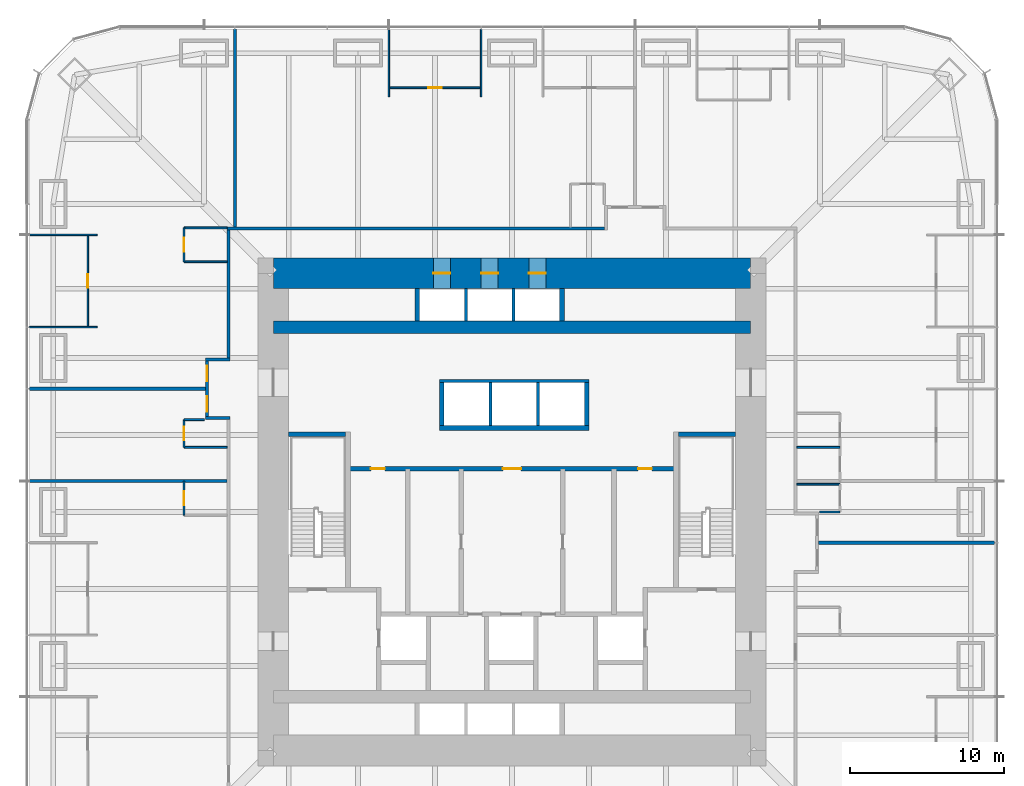
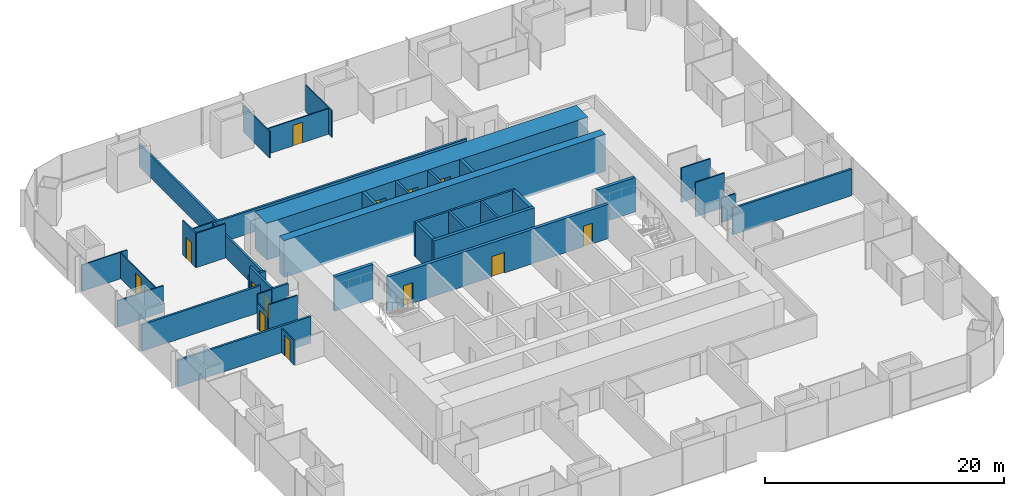
# One storey, part 14 of 16: 40 walls, 13 doors, 13 openings.
"""IFC4 building model written with IfcOpenShell, lengths in metres."""

from ifc_helpers import new_model, si_unit, direction, frame, frame_2d, origin, place, context, subcontext, project, spatial, rectangle, extrude, material, layer, layer_set, type_object, element, fill, save


model = new_model("IFC4")

# Units and contexts
model_context = context("Model", 3, precision=1e-05, world=origin(), true_north=direction((0.0, 1.0)))
body_context = subcontext(model_context, "Body", "Model", "MODEL_VIEW")
ifc_project = project(units=[si_unit("LENGTHUNIT", "METRE"), si_unit("AREAUNIT", "SQUARE_METRE"), si_unit("VOLUMEUNIT", "CUBIC_METRE"), si_unit("PLANEANGLEUNIT", "RADIAN"), si_unit("MASSUNIT", "GRAM", prefix="KILO")], contexts=[model_context])

# Site, building, storey
site_placement = place(None, origin())
site = spatial("IfcSite", under=ifc_project, at=site_placement, CompositionType="ELEMENT")
building_placement = place(site_placement, origin())
building = spatial("IfcBuilding", under=site, at=building_placement, Name="Khuree Lantern Residences", CompositionType="ELEMENT")
storey_placement = place(building_placement, frame((0.0, 0.0, 62.25)))
storey = spatial("IfcBuildingStorey", under=building, at=storey_placement, Name="L15", CompositionType="ELEMENT", Elevation=62.25)

# Walls
ifc_material_1 = material(Name="Moisture-resistant gypsum board on steel studs", Category="steel")
ifc_layer_1 = layer(ifc_material_1, 0.125)
ifc_layer_set_1 = layer_set([ifc_layer_1], Name="BATHROOM WALL BTW125")
wall_type_1 = type_object("IfcWallType", Name="BATHROOM WALL BTW125", PredefinedType="PARTITIONING", material=ifc_layer_set_1)
wall_1_placement = place(storey_placement, frame((19.969970703125, 0.0, 0.0), z_axis=(0.0, 0.0, 1.0), x_axis=(1.0, 0.0, 0.0)))
element("IfcWall", 1, at=wall_1_placement, inside=storey, type_object=wall_type_1, Name="L15 BATHROOM WALL 02", PredefinedType="PARTITIONING", context=body_context, shape_type="SweptSolid", body=[
    extrude(rectangle(XDim=1.330078125, YDim=0.125, at=frame_2d((0.6650390625, 0.0))), origin(), (0.0, 0.0, 1.0), 2.491943359375),
])
for number, where, z_axis, x_axis, name in (
    (2, (18.5, 1.800048828125, 0.0), (0.0, 0.0, 1.0), (1.0, 0.0, 0.0), "L15 BATHROOM WALL 02"),
    (3, (18.5, 4.199951171875, 0.0), (0.0, 0.0, 1.0), (1.0, 0.0, 0.0), "L15 BATHROOM WALL 03"),
):
    element("IfcWall", number, at=place(storey_placement, frame(where, z_axis=z_axis, x_axis=x_axis)), inside=storey, type_object=wall_type_1, Name=name, PredefinedType="PARTITIONING", context=body_context, shape_type="SweptSolid", body=[
        extrude(rectangle(XDim=2.800048828125, YDim=0.125, at=frame_2d((1.39990234375, 0.0))), origin(), (0.0, 0.0, 1.0), 3.5),
    ])

# Wall, opening, door
wall_2_placement = place(storey_placement, frame((-21.300048828125, 18.449951171875, 0.0), z_axis=(0.0, 0.0, 1.0), x_axis=(0.0, -1.0, 0.0)))
wall_2 = element("IfcWall", 4, at=wall_2_placement, inside=storey, type_object=wall_type_1, Name="L15 BATHROOM WALL 05", PredefinedType="PARTITIONING", context=body_context, shape_type="SweptSolid", body=[
    extrude(rectangle(XDim=2.199951171875, YDim=0.125, at=frame_2d((1.10009765625, 0.0))), origin(), (0.0, 0.0, 1.0), 3.5),
])
opening_1_placement = place(wall_2_placement, frame((0.64990234375, 0.0, 0.0)))
opening_1 = element("IfcOpeningElement", 5, at=opening_1_placement, cuts=wall_2, Name="Opening 15-036", PredefinedType="OPENING", context=body_context, shape_type="SweptSolid", body=[
    extrude(rectangle(XDim=0.89990234375, YDim=2.10009765625, at=frame_2d((0.449951171875, 1.050048828125))), frame((0.0, 0.072509765625, 0.0), z_axis=(0.0, -1.0, 0.0), x_axis=(1.0, 0.0, 0.0)), (0.0, 0.0, 1.0), 0.14501953125),
])
ifc_material_2 = material(Name="Timber door leaf in hardwood frame", Category="wood")
door_type_1 = type_object("IfcDoorType", Name="BATHROOM DOOR 900X2100", OperationType="SINGLE_SWING_LEFT", PredefinedType="DOOR", material=ifc_material_2)
door_1_placement = place(opening_1_placement, origin())
door_1 = element("IfcDoor", 6, at=door_1_placement, inside=storey, type_object=door_type_1, Name="Bathroom door 15-036", OperationType="SINGLE_SWING_LEFT", OverallHeight=2.10009765625, OverallWidth=0.89990234375, PredefinedType="DOOR", context=body_context, shape_type="SweptSolid", body=[
    extrude(rectangle(XDim=0.89990234375, YDim=2.10009765625, at=frame_2d((0.449951171875, 1.050048828125))), frame((0.0, 0.02490234375, 0.0), z_axis=(0.0, -1.0, 0.0), x_axis=(1.0, 0.0, 0.0)), (0.0, 0.0, 1.0), 0.050048828125),
])
fill(opening_1, door_1)

# Walls
wall_3_placement = place(storey_placement, frame((-18.5, 18.449951171875, 0.0), z_axis=(0.0, 0.0, 1.0), x_axis=(-1.0, 0.0, 0.0)))
element("IfcWall", 7, at=wall_3_placement, inside=storey, type_object=wall_type_1, Name="L15 BATHROOM WALL 05", PredefinedType="PARTITIONING", context=body_context, shape_type="SweptSolid", body=[
    extrude(rectangle(XDim=2.800048828125, YDim=0.125, at=frame_2d((1.39990234375, 0.0))), origin(), (0.0, 0.0, 1.0), 2.300048828125),
])
wall_4_placement = place(storey_placement, frame((-18.5, 16.25, 0.0), z_axis=(0.0, 0.0, 1.0), x_axis=(-1.0, 0.0, 0.0)))
element("IfcWall", 8, at=wall_4_placement, inside=storey, type_object=wall_type_1, Name="L15 BATHROOM WALL 05", PredefinedType="PARTITIONING", context=body_context, shape_type="SweptSolid", body=[
    extrude(rectangle(XDim=2.800048828125, YDim=0.125, at=frame_2d((1.39990234375, 0.0))), origin(), (0.0, 0.0, 1.0), 3.5),
])

# Wall, opening, door
wall_5_placement = place(storey_placement, frame((-21.300048828125, 6.0, 0.0), z_axis=(0.0, 0.0, 1.0), x_axis=(0.0, -1.0, 0.0)))
wall_5 = element("IfcWall", 9, at=wall_5_placement, inside=storey, type_object=wall_type_1, Name="L15 BATHROOM WALL 06", PredefinedType="PARTITIONING", context=body_context, shape_type="SweptSolid", body=[
    extrude(rectangle(XDim=1.800048828125, YDim=0.125, at=frame_2d((0.89990234375, 0.0))), origin(), (0.0, 0.0, 1.0), 2.610107421875),
])
opening_2_placement = place(wall_5_placement, frame((0.449951171875, 0.0, 0.0)))
opening_2 = element("IfcOpeningElement", 10, at=opening_2_placement, cuts=wall_5, Name="Opening 15-038", PredefinedType="OPENING", context=body_context, shape_type="SweptSolid", body=[
    extrude(rectangle(XDim=0.89990234375, YDim=2.10009765625, at=frame_2d((0.449951171875, 1.050048828125))), frame((0.0, 0.072509765625, 0.0), z_axis=(0.0, -1.0, 0.0), x_axis=(1.0, 0.0, 0.0)), (0.0, 0.0, 1.0), 0.14501953125),
])
door_2_placement = place(opening_2_placement, origin())
door_2 = element("IfcDoor", 11, at=door_2_placement, inside=storey, type_object=door_type_1, Name="Bathroom door 15-038", OperationType="SINGLE_SWING_LEFT", OverallHeight=2.10009765625, OverallWidth=0.89990234375, PredefinedType="DOOR", context=body_context, shape_type="SweptSolid", body=[
    extrude(rectangle(XDim=0.89990234375, YDim=2.10009765625, at=frame_2d((0.449951171875, 1.050048828125))), frame((0.0, 0.02490234375, 0.0), z_axis=(0.0, -1.0, 0.0), x_axis=(1.0, 0.0, 0.0)), (0.0, 0.0, 1.0), 0.050048828125),
])
fill(opening_2, door_2)

# Walls
wall_6_placement = place(storey_placement, frame((-19.969970703125, 6.0, 0.0), z_axis=(0.0, 0.0, 1.0), x_axis=(-1.0, 0.0, 0.0)))
element("IfcWall", 12, at=wall_6_placement, inside=storey, type_object=wall_type_1, Name="L15 BATHROOM WALL 06", PredefinedType="PARTITIONING", context=body_context, shape_type="SweptSolid", body=[
    extrude(rectangle(XDim=1.330078125, YDim=0.125, at=frame_2d((0.6650390625, 0.0))), origin(), (0.0, 0.0, 1.0), 3.5),
])
wall_7_placement = place(storey_placement, frame((-18.5, 4.199951171875, 0.0), z_axis=(0.0, 0.0, 1.0), x_axis=(-1.0, 0.0, 0.0)))
element("IfcWall", 13, at=wall_7_placement, inside=storey, type_object=wall_type_1, Name="L15 BATHROOM WALL 06", PredefinedType="PARTITIONING", context=body_context, shape_type="SweptSolid", body=[
    extrude(rectangle(XDim=2.800048828125, YDim=0.125, at=frame_2d((1.39990234375, 0.0))), origin(), (0.0, 0.0, 1.0), 3.5),
])

# Wall, opening, door
wall_8_placement = place(storey_placement, frame((-21.300048828125, 2.0, 0.0), z_axis=(0.0, 0.0, 1.0), x_axis=(0.0, -1.0, 0.0)))
wall_8 = element("IfcWall", 14, at=wall_8_placement, inside=storey, type_object=wall_type_1, Name="L15 BATHROOM WALL 07", PredefinedType="PARTITIONING", context=body_context, shape_type="SweptSolid", body=[
    extrude(rectangle(XDim=2.199951171875, YDim=0.125, at=frame_2d((1.10009765625, 0.0))), origin(), (0.0, 0.0, 1.0), 2.491943359375),
])
opening_3_placement = place(wall_8_placement, frame((0.64990234375, 0.0, 0.0)))
opening_3 = element("IfcOpeningElement", 15, at=opening_3_placement, cuts=wall_8, Name="Opening 15-042", PredefinedType="OPENING", context=body_context, shape_type="SweptSolid", body=[
    extrude(rectangle(XDim=0.89990234375, YDim=2.10009765625, at=frame_2d((0.449951171875, 1.050048828125))), frame((0.0, 0.072509765625, 0.0), z_axis=(0.0, -1.0, 0.0), x_axis=(1.0, 0.0, 0.0)), (0.0, 0.0, 1.0), 0.14501953125),
])
door_3_placement = place(opening_3_placement, origin())
door_3 = element("IfcDoor", 16, at=door_3_placement, inside=storey, type_object=door_type_1, Name="Bathroom door 15-042", OperationType="SINGLE_SWING_LEFT", OverallHeight=2.10009765625, OverallWidth=0.89990234375, PredefinedType="DOOR", context=body_context, shape_type="SweptSolid", body=[
    extrude(rectangle(XDim=0.89990234375, YDim=2.10009765625, at=frame_2d((0.449951171875, 1.050048828125))), frame((0.0, 0.02490234375, 0.0), z_axis=(0.0, -1.0, 0.0), x_axis=(1.0, 0.0, 0.0)), (0.0, 0.0, 1.0), 0.050048828125),
])
fill(opening_3, door_3)

# Walls
ifc_material_3 = material(Name="Dense concrete blockwork", Category="masonry")
ifc_layer_2 = layer(ifc_material_3, 0.300048828125)
ifc_layer_set_2 = layer_set([ifc_layer_2], Name="CORE PARTITION WALL CPW300 EI 120")
wall_type_2 = type_object("IfcWallType", Name="CORE PARTITION WALL CPW300 EI 120", PredefinedType="PARTITIONING", material=ifc_layer_set_2)
wall_9_placement = place(storey_placement, frame((-4.699951171875, 5.449951171875, 0.0), z_axis=(0.0, 0.0, 1.0), x_axis=(1.0, 0.0, 0.0)))
element("IfcWall", 17, at=wall_9_placement, inside=storey, type_object=wall_type_2, Name="L15 CORE WALL PHS", PredefinedType="PARTITIONING", context=body_context, shape_type="SweptSolid", body=[
    extrude(rectangle(XDim=9.699951171875, YDim=0.300048828125, at=frame_2d((4.85009765625, 0.0))), origin(), (0.0, 0.0, 1.0), 3.5),
])
for number, where, z_axis, x_axis, name in (
    (18, (-4.550048828125, 5.60009765625, 0.0), (0.0, 0.0, 1.0), (0.0, 1.0, 0.0), "L15 CORE WALL PHW"),
    (19, (4.85009765625, 5.60009765625, 0.0), (0.0, 0.0, 1.0), (0.0, 1.0, 0.0), "L15 CORE WALL PHE"),
):
    element("IfcWall", number, at=place(storey_placement, frame(where, z_axis=z_axis, x_axis=x_axis)), inside=storey, type_object=wall_type_2, Name=name, PredefinedType="PARTITIONING", context=body_context, shape_type="SweptSolid", body=[
        extrude(rectangle(XDim=2.7998046875, YDim=0.300048828125, at=frame_2d((1.39990234375, 0.0))), origin(), (0.0, 0.0, 1.0), 3.5),
    ])
for number, where, z_axis, x_axis, name in (
    (20, (-6.14990234375, 12.39990234375, 0.0), (0.0, 0.0, 1.0), (0.0, 1.0, 0.0), "L15 CORE WALL PLW"),
    (21, (3.25, 12.39990234375, 0.0), (0.0, 0.0, 1.0), (0.0, 1.0, 0.0), "L15 CORE WALL PLE"),
):
    element("IfcWall", number, at=place(storey_placement, frame(where, z_axis=z_axis, x_axis=x_axis)), inside=storey, type_object=wall_type_2, Name=name, PredefinedType="PARTITIONING", context=body_context, shape_type="SweptSolid", body=[
        extrude(rectangle(XDim=2.10009765625, YDim=0.300048828125, at=frame_2d((1.050048828125, 0.0))), origin(), (0.0, 0.0, 1.0), 3.5),
    ])

# Wall, openings, doors
wall_10_placement = place(storey_placement, frame((-10.64990234375, 2.800048828125, 0.0), z_axis=(0.0, 0.0, 1.0), x_axis=(1.0, 0.0, 0.0)))
wall_10 = element("IfcWall", 22, at=wall_10_placement, inside=storey, type_object=wall_type_2, Name="L15 CORE WALL LLS", PredefinedType="PARTITIONING", context=body_context, shape_type="SweptSolid", body=[
    extrude(rectangle(XDim=21.2998046875, YDim=0.300048828125, at=frame_2d((10.64990234375, 0.0))), origin(), (0.0, 0.0, 1.0), 3.5),
])
opening_4_placement = place(wall_10_placement, frame((10.050048828125, 0.0, 0.0)))
opening_4 = element("IfcOpeningElement", 23, at=opening_4_placement, cuts=wall_10, Name="Opening 15-013", PredefinedType="OPENING", context=body_context, shape_type="SweptSolid", body=[
    extrude(rectangle(XDim=1.199951171875, YDim=2.10009765625, at=frame_2d((0.60009765625, 1.050048828125))), frame((0.0, 0.16015625, 0.0), z_axis=(0.0, -1.0, 0.0), x_axis=(1.0, 0.0, 0.0)), (0.0, 0.0, 1.0), 0.320068359375),
])
opening_5_placement = place(wall_10_placement, frame((1.492919921875, 0.0, 0.0)))
opening_5 = element("IfcOpeningElement", 24, at=opening_5_placement, cuts=wall_10, Name="Opening 15-017", PredefinedType="OPENING", context=body_context, shape_type="SweptSolid", body=[
    extrude(rectangle(XDim=0.89990234375, YDim=2.10009765625, at=frame_2d((0.449951171875, 1.050048828125))), frame((0.0, 0.16015625, 0.0), z_axis=(0.0, -1.0, 0.0), x_axis=(1.0, 0.0, 0.0)), (0.0, 0.0, 1.0), 0.320068359375),
])
opening_6_placement = place(wall_10_placement, frame((18.8359375, 0.0, 0.0)))
opening_6 = element("IfcOpeningElement", 25, at=opening_6_placement, cuts=wall_10, Name="Opening 15-019", PredefinedType="OPENING", context=body_context, shape_type="SweptSolid", body=[
    extrude(rectangle(XDim=0.89990234375, YDim=2.10009765625, at=frame_2d((0.449951171875, 1.050048828125))), frame((0.0, 0.16015625, 0.0), z_axis=(0.0, -1.0, 0.0), x_axis=(1.0, 0.0, 0.0)), (0.0, 0.0, 1.0), 0.320068359375),
])
ifc_material_4 = material(Name="Steel door leaf in steel frame", Category="steel")
door_type_2 = type_object("IfcDoorType", Name="DOOR 1200X2100 EI 60", OperationType="SINGLE_SWING_LEFT", PredefinedType="DOOR", material=ifc_material_4)
door_4_placement = place(opening_4_placement, origin())
door_4 = element("IfcDoor", 26, at=door_4_placement, inside=storey, type_object=door_type_2, Name="Service lift lobby door 15-013", OperationType="SINGLE_SWING_LEFT", OverallHeight=2.10009765625, OverallWidth=1.199951171875, PredefinedType="DOOR", context=body_context, shape_type="SweptSolid", body=[
    extrude(rectangle(XDim=1.199951171875, YDim=2.10009765625, at=frame_2d((0.60009765625, 1.050048828125))), frame((0.0, 0.02490234375, 0.0), z_axis=(0.0, -1.0, 0.0), x_axis=(1.0, 0.0, 0.0)), (0.0, 0.0, 1.0), 0.050048828125),
])
fill(opening_4, door_4)
door_type_3 = type_object("IfcDoorType", Name="DOOR 900X2100", OperationType="SINGLE_SWING_LEFT", PredefinedType="DOOR", material=ifc_material_2)
door_5_placement = place(opening_5_placement, origin())
door_5 = element("IfcDoor", 27, at=door_5_placement, inside=storey, type_object=door_type_3, Name="Residents' store door 15-017", OperationType="SINGLE_SWING_LEFT", OverallHeight=2.10009765625, OverallWidth=0.89990234375, PredefinedType="DOOR", context=body_context, shape_type="SweptSolid", body=[
    extrude(rectangle(XDim=0.89990234375, YDim=2.10009765625, at=frame_2d((0.449951171875, 1.050048828125))), frame((0.0, 0.02490234375, 0.0), z_axis=(0.0, -1.0, 0.0), x_axis=(1.0, 0.0, 0.0)), (0.0, 0.0, 1.0), 0.050048828125),
])
fill(opening_5, door_5)
door_type_4 = type_object("IfcDoorType", Name="DOOR 900X2100 RIGHT HAND", OperationType="SINGLE_SWING_RIGHT", PredefinedType="DOOR", material=ifc_material_2)
door_6_placement = place(opening_6_placement, origin())
door_6 = element("IfcDoor", 28, at=door_6_placement, inside=storey, type_object=door_type_4, Name="Residents' store door 15-019", OperationType="SINGLE_SWING_RIGHT", OverallHeight=2.10009765625, OverallWidth=0.89990234375, PredefinedType="DOOR", context=body_context, shape_type="SweptSolid", body=[
    extrude(rectangle(XDim=0.89990234375, YDim=2.10009765625, at=frame_2d((0.449951171875, 1.050048828125))), frame((0.0, 0.02490234375, 0.0), z_axis=(0.0, -1.0, 0.0), x_axis=(1.0, 0.0, 0.0)), (0.0, 0.0, 1.0), 0.050048828125),
])
fill(opening_6, door_6)

# Walls
ifc_material_5 = material(Name="Gypsum board on steel studs", Category="steel")
ifc_layer_3 = layer(ifc_material_5, 0.199951171875)
ifc_layer_set_3 = layer_set([ifc_layer_3], Name="CORRIDOR WALL CRW200 EI 60")
wall_type_3 = type_object("IfcWallType", Name="CORRIDOR WALL CRW200 EI 60", PredefinedType="PARTITIONING", material=ifc_layer_set_3)
wall_11_placement = place(storey_placement, frame((-18.5, 18.39990234375, 0.0), z_axis=(0.0, 0.0, 1.0), x_axis=(1.0, 0.0, 0.0)))
element("IfcWall", 29, at=wall_11_placement, inside=storey, type_object=wall_type_3, Name="L15 CORRIDOR WALL NORTH 1", PredefinedType="PARTITIONING", context=body_context, shape_type="SweptSolid", body=[
    extrude(rectangle(XDim=24.5, YDim=0.199951171875, at=frame_2d((12.25, 0.0))), origin(), (0.0, 0.0, 1.0), 2.300048828125),
])
wall_12_placement = place(storey_placement, frame((-18.39990234375, 18.300048828125, 0.0), z_axis=(0.0, 0.0, 1.0), x_axis=(0.0, -1.0, 0.0)))
element("IfcWall", 30, at=wall_12_placement, inside=storey, type_object=wall_type_3, Name="L15 CORRIDOR WALL WEST 1", PredefinedType="PARTITIONING", context=body_context, shape_type="SweptSolid", body=[
    extrude(rectangle(XDim=8.300048828125, YDim=0.199951171875, at=frame_2d((4.14990234375, 0.0))), origin(), (0.0, 0.0, 1.0), 2.300048828125),
])
wall_13_placement = place(storey_placement, frame((-18.300048828125, 9.89990234375, 0.0), z_axis=(0.0, 0.0, 1.0), x_axis=(-1.0, 0.0, 0.0)))
element("IfcWall", 31, at=wall_13_placement, inside=storey, type_object=wall_type_3, Name="L15 CORRIDOR ALCOVE WALL WEST", PredefinedType="PARTITIONING", context=body_context, shape_type="SweptSolid", body=[
    extrude(rectangle(XDim=1.599853515625, YDim=0.199951171875, at=frame_2d((0.7998046875, 0.0))), origin(), (0.0, 0.0, 1.0), 2.491943359375),
])
wall_14_placement = place(storey_placement, frame((-18.300048828125, 6.10009765625, 0.0), z_axis=(0.0, 0.0, 1.0), x_axis=(-1.0, 0.0, 0.0)))
element("IfcWall", 32, at=wall_14_placement, inside=storey, type_object=wall_type_3, Name="L15 CORRIDOR ALCOVE WALL WEST", PredefinedType="PARTITIONING", context=body_context, shape_type="SweptSolid", body=[
    extrude(rectangle(XDim=1.599853515625, YDim=0.199951171875, at=frame_2d((0.7998046875, 0.0))), origin(), (0.0, 0.0, 1.0), 3.5),
])

# Wall, openings, doors
wall_15_placement = place(storey_placement, frame((-19.800048828125, 9.800048828125, 0.0), z_axis=(0.0, 0.0, 1.0), x_axis=(0.0, -1.0, 0.0)))
wall_15 = element("IfcWall", 33, at=wall_15_placement, inside=storey, type_object=wall_type_3, Name="L15 CORRIDOR ALCOVE WALL WEST", PredefinedType="PARTITIONING", context=body_context, shape_type="SweptSolid", body=[
    extrude(rectangle(XDim=3.60009765625, YDim=0.199951171875, at=frame_2d((1.800048828125, 0.0))), origin(), (0.0, 0.0, 1.0), 3.5),
])
opening_7_placement = place(wall_15_placement, frame((0.300048828125, 0.0, 0.0)))
opening_7 = element("IfcOpeningElement", 34, at=opening_7_placement, cuts=wall_15, Name="Opening 15-037", PredefinedType="OPENING", context=body_context, shape_type="SweptSolid", body=[
    extrude(rectangle(XDim=1.0, YDim=2.199951171875, at=frame_2d((0.5, 1.10009765625))), frame((0.0, 0.10986328125, 0.0), z_axis=(0.0, -1.0, 0.0), x_axis=(1.0, 0.0, 0.0)), (0.0, 0.0, 1.0), 0.219970703125),
])
opening_8_placement = place(wall_15_placement, frame((2.300048828125, 0.0, 0.0)))
opening_8 = element("IfcOpeningElement", 35, at=opening_8_placement, cuts=wall_15, Name="Opening 15-039", PredefinedType="OPENING", context=body_context, shape_type="SweptSolid", body=[
    extrude(rectangle(XDim=1.0, YDim=2.199951171875, at=frame_2d((0.5, 1.10009765625))), frame((0.0, 0.10986328125, 0.0), z_axis=(0.0, -1.0, 0.0), x_axis=(1.0, 0.0, 0.0)), (0.0, 0.0, 1.0), 0.219970703125),
])
door_type_5 = type_object("IfcDoorType", Name="APARTMENT ENTRANCE DOOR 1000X2200 EI 30S", OperationType="SINGLE_SWING_LEFT", PredefinedType="DOOR", material=ifc_material_2)
door_7_placement = place(opening_7_placement, origin())
door_7 = element("IfcDoor", 36, at=door_7_placement, inside=storey, type_object=door_type_5, Name="Apartment 05 entrance door 15-037", OperationType="SINGLE_SWING_LEFT", OverallHeight=2.199951171875, OverallWidth=1.0, PredefinedType="DOOR", context=body_context, shape_type="SweptSolid", body=[
    extrude(rectangle(XDim=1.0, YDim=2.199951171875, at=frame_2d((0.5, 1.10009765625))), frame((0.0, 0.02490234375, 0.0), z_axis=(0.0, -1.0, 0.0), x_axis=(1.0, 0.0, 0.0)), (0.0, 0.0, 1.0), 0.050048828125),
])
fill(opening_7, door_7)
door_type_6 = type_object("IfcDoorType", Name="APARTMENT ENTRANCE DOOR 1000X2200 EI 30S RIGHT HAND", OperationType="SINGLE_SWING_RIGHT", PredefinedType="DOOR", material=ifc_material_2)
door_8_placement = place(opening_8_placement, origin())
door_8 = element("IfcDoor", 37, at=door_8_placement, inside=storey, type_object=door_type_6, Name="Apartment 06 entrance door 15-039", OperationType="SINGLE_SWING_RIGHT", OverallHeight=2.199951171875, OverallWidth=1.0, PredefinedType="DOOR", context=body_context, shape_type="SweptSolid", body=[
    extrude(rectangle(XDim=1.0, YDim=2.199951171875, at=frame_2d((0.5, 1.10009765625))), frame((0.0, 0.02490234375, 0.0), z_axis=(0.0, -1.0, 0.0), x_axis=(1.0, 0.0, 0.0)), (0.0, 0.0, 1.0), 0.050048828125),
])
fill(opening_8, door_8)

ifc_material_6 = material(Name="Concrete C70/85", Category="concrete")
ifc_layer_4 = layer(ifc_material_6, 2.0)
ifc_layer_set_4 = layer_set([ifc_layer_4], Name="CW2000-C70 CORE WALL C70 2000")
wall_type_4 = type_object("IfcWallType", Name="CW2000-C70 CORE WALL C70 2000", PredefinedType="SHEAR", material=ifc_layer_set_4)
wall_16_placement = place(storey_placement, frame((-15.5, 15.5, -0.25), z_axis=(0.0, 0.0, 1.0), x_axis=(1.0, 0.0, 0.0)))
wall_16 = element("IfcWall", 38, at=wall_16_placement, inside=storey, type_object=wall_type_4, Name="Core wall N", PredefinedType="SHEAR", context=body_context, shape_type="SweptSolid", body=[
    extrude(rectangle(XDim=31.0, YDim=2.0, at=frame_2d((15.5, 0.0))), origin(), (0.0, 0.0, 1.0), 3.75),
])
opening_9_placement = place(wall_16_placement, frame((10.39990234375, 0.0, 0.25)))
opening_9 = element("IfcOpeningElement", 39, at=opening_9_placement, cuts=wall_16, Name="Opening 15-009", PredefinedType="OPENING", context=body_context, shape_type="SweptSolid", body=[
    extrude(rectangle(XDim=1.10009765625, YDim=2.10009765625, at=frame_2d((0.550048828125, 1.050048828125))), frame((0.0, 1.010009765625, 0.0), z_axis=(0.0, -1.0, 0.0), x_axis=(1.0, 0.0, 0.0)), (0.0, 0.0, 1.0), 2.02001953125),
])
opening_10_placement = place(wall_16_placement, frame((13.5, 0.0, 0.25)))
opening_10 = element("IfcOpeningElement", 40, at=opening_10_placement, cuts=wall_16, Name="Opening 15-010", PredefinedType="OPENING", context=body_context, shape_type="SweptSolid", body=[
    extrude(rectangle(XDim=1.10009765625, YDim=2.10009765625, at=frame_2d((0.550048828125, 1.050048828125))), frame((0.0, 1.010009765625, 0.0), z_axis=(0.0, -1.0, 0.0), x_axis=(1.0, 0.0, 0.0)), (0.0, 0.0, 1.0), 2.02001953125),
])
opening_11_placement = place(wall_16_placement, frame((16.60009765625, 0.0, 0.25)))
opening_11 = element("IfcOpeningElement", 41, at=opening_11_placement, cuts=wall_16, Name="Opening 15-011", PredefinedType="OPENING", context=body_context, shape_type="SweptSolid", body=[
    extrude(rectangle(XDim=1.10009765625, YDim=2.10009765625, at=frame_2d((0.550048828125, 1.050048828125))), frame((0.0, 1.010009765625, 0.0), z_axis=(0.0, -1.0, 0.0), x_axis=(1.0, 0.0, 0.0)), (0.0, 0.0, 1.0), 2.02001953125),
])
ifc_material_7 = material(Name="Stainless steel lift landing door", Category="steel")
door_type_7 = type_object("IfcDoorType", Name="LIFT LANDING DOOR 1100X2100 E 60", OperationType="DOUBLE_DOOR_SLIDING", PredefinedType="DOOR", material=ifc_material_7)
door_9_placement = place(opening_9_placement, origin())
door_9 = element("IfcDoor", 42, at=door_9_placement, inside=storey, type_object=door_type_7, Name="Landing door PL1 15-009", OperationType="DOUBLE_DOOR_SLIDING", OverallHeight=2.10009765625, OverallWidth=1.10009765625, PredefinedType="DOOR", context=body_context, shape_type="SweptSolid", body=[
    extrude(rectangle(XDim=1.10009765625, YDim=2.10009765625, at=frame_2d((0.550048828125, 1.050048828125))), frame((0.0, 0.02490234375, 0.0), z_axis=(0.0, -1.0, 0.0), x_axis=(1.0, 0.0, 0.0)), (0.0, 0.0, 1.0), 0.050048828125),
])
fill(opening_9, door_9)
door_10_placement = place(opening_10_placement, origin())
door_10 = element("IfcDoor", 43, at=door_10_placement, inside=storey, type_object=door_type_7, Name="Landing door PL2 15-010", OperationType="DOUBLE_DOOR_SLIDING", OverallHeight=2.10009765625, OverallWidth=1.10009765625, PredefinedType="DOOR", context=body_context, shape_type="SweptSolid", body=[
    extrude(rectangle(XDim=1.10009765625, YDim=2.10009765625, at=frame_2d((0.550048828125, 1.050048828125))), frame((0.0, 0.02490234375, 0.0), z_axis=(0.0, -1.0, 0.0), x_axis=(1.0, 0.0, 0.0)), (0.0, 0.0, 1.0), 0.050048828125),
])
fill(opening_10, door_10)
door_11_placement = place(opening_11_placement, origin())
door_11 = element("IfcDoor", 44, at=door_11_placement, inside=storey, type_object=door_type_7, Name="Landing door PL3 15-011", OperationType="DOUBLE_DOOR_SLIDING", OverallHeight=2.10009765625, OverallWidth=1.10009765625, PredefinedType="DOOR", context=body_context, shape_type="SweptSolid", body=[
    extrude(rectangle(XDim=1.10009765625, YDim=2.10009765625, at=frame_2d((0.550048828125, 1.050048828125))), frame((0.0, 0.02490234375, 0.0), z_axis=(0.0, -1.0, 0.0), x_axis=(1.0, 0.0, 0.0)), (0.0, 0.0, 1.0), 0.050048828125),
])
fill(opening_11, door_11)

# Walls
ifc_layer_5 = layer(ifc_material_5, 0.199951171875)
ifc_layer_set_5 = layer_set([ifc_layer_5], Name="DEMISING WALL DMW200 EI 90")
wall_type_5 = type_object("IfcWallType", Name="DEMISING WALL DMW200 EI 90", PredefinedType="PARTITIONING", material=ifc_layer_set_5)
wall_17_placement = place(storey_placement, frame((19.89990234375, -2.0, 0.0), z_axis=(0.0, 0.0, 1.0), x_axis=(1.0, 0.0, 0.0)))
element("IfcWall", 45, at=wall_17_placement, inside=storey, type_object=wall_type_5, Name="L15 DEMISING WALL 02", PredefinedType="PARTITIONING", context=body_context, shape_type="SweptSolid", body=[
    extrude(rectangle(XDim=11.4501953125, YDim=0.199951171875, at=frame_2d((5.72509765625, 0.0))), origin(), (0.0, 0.0, 1.0), 2.7099609375),
])
wall_18_placement = place(storey_placement, frame((-18.0, 18.5, 0.0), z_axis=(0.0, 0.0, 1.0), x_axis=(0.0, 1.0, 0.0)))
element("IfcWall", 46, at=wall_18_placement, inside=storey, type_object=wall_type_5, Name="L15 DEMISING WALL 05", PredefinedType="PARTITIONING", context=body_context, shape_type="SweptSolid", body=[
    extrude(rectangle(XDim=12.85009765625, YDim=0.199951171875, at=frame_2d((6.425048828125, 0.0))), origin(), (0.0, 0.0, 1.0), 2.300048828125),
])
wall_19_placement = place(storey_placement, frame((-19.89990234375, 8.0, 0.0), z_axis=(0.0, 0.0, 1.0), x_axis=(-1.0, 0.0, 0.0)))
element("IfcWall", 47, at=wall_19_placement, inside=storey, type_object=wall_type_5, Name="L15 DEMISING WALL 06", PredefinedType="PARTITIONING", context=body_context, shape_type="SweptSolid", body=[
    extrude(rectangle(XDim=11.4501953125, YDim=0.199951171875, at=frame_2d((5.72509765625, 0.0))), origin(), (0.0, 0.0, 1.0), 2.7099609375),
])
wall_20_placement = place(storey_placement, frame((-18.5, 2.0, 0.0), z_axis=(0.0, 0.0, 1.0), x_axis=(-1.0, 0.0, 0.0)))
element("IfcWall", 48, at=wall_20_placement, inside=storey, type_object=wall_type_5, Name="L15 DEMISING WALL 07", PredefinedType="PARTITIONING", context=body_context, shape_type="SweptSolid", body=[
    extrude(rectangle(XDim=12.85009765625, YDim=0.199951171875, at=frame_2d((6.425048828125, 0.0))), origin(), (0.0, 0.0, 1.0), 2.7099609375),
])
ifc_layer_6 = layer(ifc_material_5, 0.10009765625)
ifc_layer_set_6 = layer_set([ifc_layer_6], Name="PARTITION PT100")
wall_type_6 = type_object("IfcWallType", Name="PARTITION PT100", PredefinedType="PARTITIONING", material=ifc_layer_set_6)
for number, where, z_axis, x_axis, name in (
    (49, (-2.0, 26.949951171875, 0.0), (0.0, 0.0, 1.0), (0.0, 1.0, 0.0), "L15 PARTITION 04"),
    (50, (-8.0, 26.949951171875, 0.0), (0.0, 0.0, 1.0), (0.0, 1.0, 0.0), "L15 PARTITION 04"),
    (51, (-26.949951171875, 18.0, 0.0), (0.0, 0.0, 1.0), (-1.0, 0.0, 0.0), "L15 PARTITION 05"),
    (52, (-26.949951171875, 12.0, 0.0), (0.0, 0.0, 1.0), (-1.0, 0.0, 0.0), "L15 PARTITION 05"),
):
    element("IfcWall", number, at=place(storey_placement, frame(where, z_axis=z_axis, x_axis=x_axis)), inside=storey, type_object=wall_type_6, Name=name, PredefinedType="PARTITIONING", context=body_context, shape_type="SweptSolid", body=[
        extrude(rectangle(XDim=4.400146484375, YDim=0.10009765625, at=frame_2d((2.2001953125, 0.0))), origin(), (0.0, 0.0, 1.0), 2.7099609375),
    ])

# Wall, opening, door
wall_21_placement = place(storey_placement, frame((-2.0, 27.550048828125, 0.0), z_axis=(0.0, 0.0, 1.0), x_axis=(-1.0, 0.0, 0.0)))
wall_21 = element("IfcWall", 53, at=wall_21_placement, inside=storey, type_object=wall_type_6, Name="L15 PARTITION 04", PredefinedType="PARTITIONING", context=body_context, shape_type="SweptSolid", body=[
    extrude(rectangle(XDim=6.0, YDim=0.10009765625, at=frame_2d((3.0, 0.0))), origin(), (0.0, 0.0, 1.0), 2.610107421875),
])
opening_12_placement = place(wall_21_placement, frame((2.550048828125, 0.0, 0.0)))
opening_12 = element("IfcOpeningElement", 54, at=opening_12_placement, cuts=wall_21, Name="Opening 15-032", PredefinedType="OPENING", context=body_context, shape_type="SweptSolid", body=[
    extrude(rectangle(XDim=0.89990234375, YDim=2.10009765625, at=frame_2d((0.449951171875, 1.050048828125))), frame((0.0, 0.06005859375, 0.0), z_axis=(0.0, -1.0, 0.0), x_axis=(1.0, 0.0, 0.0)), (0.0, 0.0, 1.0), 0.1201171875),
])
door_type_8 = type_object("IfcDoorType", Name="BEDROOM DOOR 900X2100", OperationType="SINGLE_SWING_LEFT", PredefinedType="DOOR", material=ifc_material_2)
door_12_placement = place(opening_12_placement, origin())
door_12 = element("IfcDoor", 55, at=door_12_placement, inside=storey, type_object=door_type_8, Name="Bedroom door 15-032", OperationType="SINGLE_SWING_LEFT", OverallHeight=2.10009765625, OverallWidth=0.89990234375, PredefinedType="DOOR", context=body_context, shape_type="SweptSolid", body=[
    extrude(rectangle(XDim=0.89990234375, YDim=2.10009765625, at=frame_2d((0.449951171875, 1.050048828125))), frame((0.0, 0.02490234375, 0.0), z_axis=(0.0, -1.0, 0.0), x_axis=(1.0, 0.0, 0.0)), (0.0, 0.0, 1.0), 0.050048828125),
])
fill(opening_12, door_12)

wall_22_placement = place(storey_placement, frame((-27.550048828125, 18.0, 0.0), z_axis=(0.0, 0.0, 1.0), x_axis=(0.0, -1.0, 0.0)))
wall_22 = element("IfcWall", 56, at=wall_22_placement, inside=storey, type_object=wall_type_6, Name="L15 PARTITION 05", PredefinedType="PARTITIONING", context=body_context, shape_type="SweptSolid", body=[
    extrude(rectangle(XDim=6.0, YDim=0.10009765625, at=frame_2d((3.0, 0.0))), origin(), (0.0, 0.0, 1.0), 2.610107421875),
])
opening_13_placement = place(wall_22_placement, frame((2.550048828125, 0.0, 0.0)))
opening_13 = element("IfcOpeningElement", 57, at=opening_13_placement, cuts=wall_22, Name="Opening 15-035", PredefinedType="OPENING", context=body_context, shape_type="SweptSolid", body=[
    extrude(rectangle(XDim=0.89990234375, YDim=2.10009765625, at=frame_2d((0.449951171875, 1.050048828125))), frame((0.0, 0.06005859375, 0.0), z_axis=(0.0, -1.0, 0.0), x_axis=(1.0, 0.0, 0.0)), (0.0, 0.0, 1.0), 0.1201171875),
])
door_13_placement = place(opening_13_placement, origin())
door_13 = element("IfcDoor", 58, at=door_13_placement, inside=storey, type_object=door_type_8, Name="Bedroom door 15-035", OperationType="SINGLE_SWING_LEFT", OverallHeight=2.10009765625, OverallWidth=0.89990234375, PredefinedType="DOOR", context=body_context, shape_type="SweptSolid", body=[
    extrude(rectangle(XDim=0.89990234375, YDim=2.10009765625, at=frame_2d((0.449951171875, 1.050048828125))), frame((0.0, 0.02490234375, 0.0), z_axis=(0.0, -1.0, 0.0), x_axis=(1.0, 0.0, 0.0)), (0.0, 0.0, 1.0), 0.050048828125),
])
fill(opening_13, door_13)

# Walls
ifc_layer_7 = layer(ifc_material_3, 0.199951171875)
ifc_layer_set_7 = layer_set([ifc_layer_7], Name="SHAFT WALL SHW200 EI 120")
wall_type_7 = type_object("IfcWallType", Name="SHAFT WALL SHW200 EI 120", PredefinedType="PARTITIONING", material=ifc_layer_set_7)
wall_23_placement = place(storey_placement, frame((-4.699951171875, 8.5, 0.0), z_axis=(0.0, 0.0, 1.0), x_axis=(1.0, 0.0, 0.0)))
element("IfcWall", 59, at=wall_23_placement, inside=storey, type_object=wall_type_7, Name="L15 CORE WALL PHN", PredefinedType="PARTITIONING", context=body_context, shape_type="SweptSolid", body=[
    extrude(rectangle(XDim=9.699951171875, YDim=0.199951171875, at=frame_2d((4.85009765625, 0.0))), origin(), (0.0, 0.0, 1.0), 3.5),
])
for number, where, z_axis, x_axis, name in (
    (60, (-1.39990234375, 5.60009765625, 0.0), (0.0, 0.0, 1.0), (0.0, 1.0, 0.0), "L15 CORE WALL PHD1"),
    (61, (1.699951171875, 5.60009765625, 0.0), (0.0, 0.0, 1.0), (0.0, 1.0, 0.0), "L15 CORE WALL PHD2"),
):
    element("IfcWall", number, at=place(storey_placement, frame(where, z_axis=z_axis, x_axis=x_axis)), inside=storey, type_object=wall_type_7, Name=name, PredefinedType="PARTITIONING", context=body_context, shape_type="SweptSolid", body=[
        extrude(rectangle(XDim=2.7998046875, YDim=0.199951171875, at=frame_2d((1.39990234375, 0.0))), origin(), (0.0, 0.0, 1.0), 3.5),
    ])
for number, where, z_axis, x_axis, name in (
    (62, (-3.0, 12.39990234375, 0.0), (0.0, 0.0, 1.0), (0.0, 1.0, 0.0), "L15 CORE WALL PLD1"),
    (63, (0.10009765625, 12.39990234375, 0.0), (0.0, 0.0, 1.0), (0.0, 1.0, 0.0), "L15 CORE WALL PLD2"),
):
    element("IfcWall", number, at=place(storey_placement, frame(where, z_axis=z_axis, x_axis=x_axis)), inside=storey, type_object=wall_type_7, Name=name, PredefinedType="PARTITIONING", context=body_context, shape_type="SweptSolid", body=[
        extrude(rectangle(XDim=2.10009765625, YDim=0.199951171875, at=frame_2d((1.050048828125, 0.0))), origin(), (0.0, 0.0, 1.0), 3.5),
    ])
ifc_layer_8 = layer(ifc_material_6, 0.800048828125)
ifc_layer_set_8 = layer_set([ifc_layer_8], Name="SP800-C70 CORE SPINE WALL C70 800")
wall_type_8 = type_object("IfcWallType", Name="SP800-C70 CORE SPINE WALL C70 800", PredefinedType="SHEAR", material=ifc_layer_set_8)
wall_24_placement = place(storey_placement, frame((-15.5, 12.0, -0.25), z_axis=(0.0, 0.0, 1.0), x_axis=(1.0, 0.0, 0.0)))
element("IfcWall", 64, at=wall_24_placement, inside=storey, type_object=wall_type_8, Name="Core wall SPN", PredefinedType="SHEAR", context=body_context, shape_type="SweptSolid", body=[
    extrude(rectangle(XDim=31.0, YDim=0.800048828125, at=frame_2d((15.5, 0.0))), origin(), (0.0, 0.0, 1.0), 3.75),
])
ifc_material_8 = material(Name="Concrete C50/60", Category="concrete")
ifc_layer_9 = layer(ifc_material_8, 0.300048828125)
ifc_layer_set_9 = layer_set([ifc_layer_9], Name="STAIR WALL SRW300 C50/60 REI 240")
wall_type_9 = type_object("IfcWallType", Name="STAIR WALL SRW300 C50/60 REI 240", PredefinedType="SOLIDWALL", material=ifc_layer_set_9)
for number, where, z_axis, x_axis, name in (
    (65, (-14.5, 5.050048828125, 0.0), (0.0, 0.0, 1.0), (1.0, 0.0, 0.0), "L15 STAIR WALL ST1N"),
    (66, (14.5, 5.050048828125, 0.0), (0.0, 0.0, 1.0), (-1.0, 0.0, 0.0), "L15 STAIR WALL ST2N"),
):
    element("IfcWall", number, at=place(storey_placement, frame(where, z_axis=z_axis, x_axis=x_axis)), inside=storey, type_object=wall_type_9, Name=name, PredefinedType="SOLIDWALL", context=body_context, shape_type="SweptSolid", body=[
        extrude(rectangle(XDim=3.699951171875, YDim=0.300048828125, at=frame_2d((1.85009765625, 0.0))), origin(), (0.0, 0.0, 1.0), 3.5),
    ])

save(model, "model.ifc")
